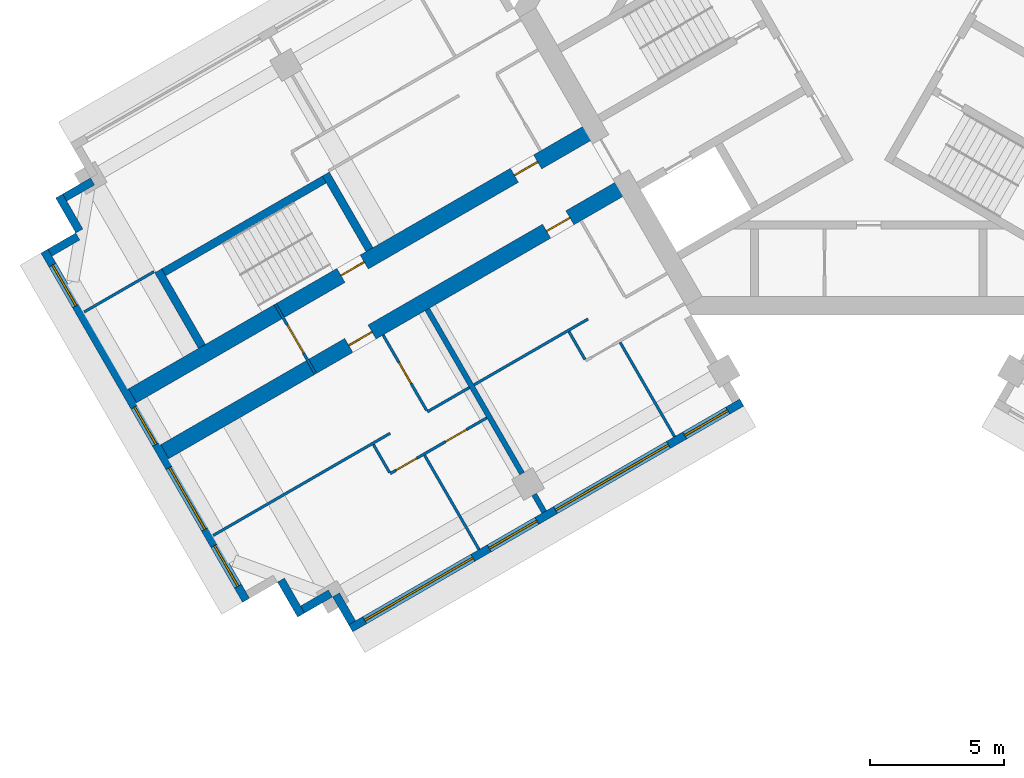
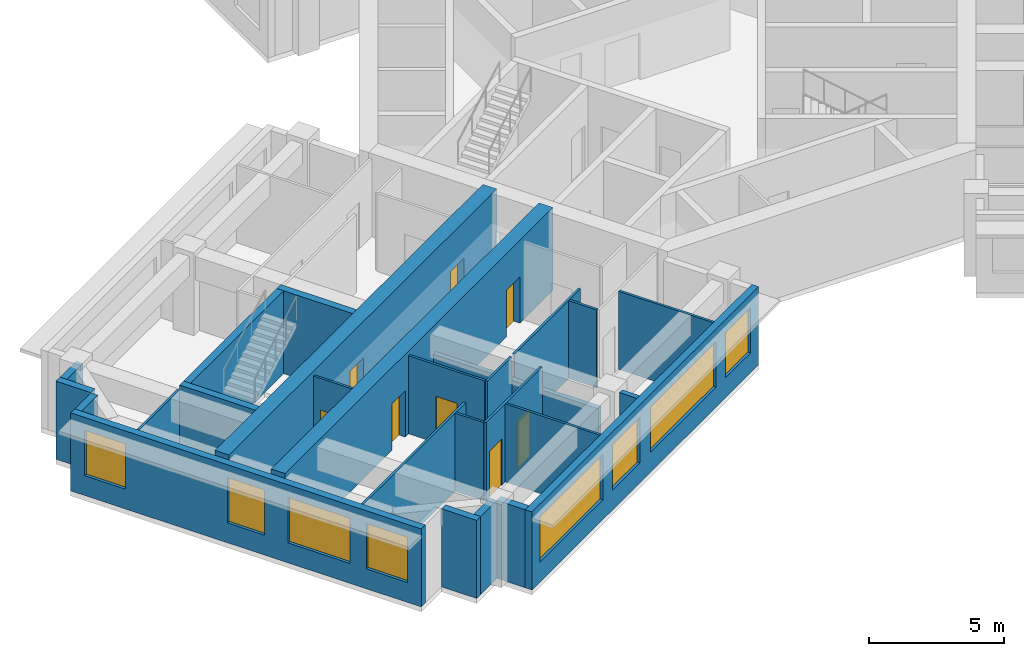
# One storey, part 2 of 11: 26 walls, 8 doors, 8 windows, 16 openings.
"""IFC4 building model written with IfcOpenShell, lengths in metres."""

from ifc_helpers import new_model, si_unit, direction, frame, frame_2d, origin, place, context, subcontext, project, spatial, rectangle, extrude, material, layer, layer_set, type_object, element, fill, save


model = new_model("IFC4")

# Units and contexts
model_context = context("Model", 3, precision=1e-05, world=origin(), true_north=direction((0.0, 1.0)))
body_context = subcontext(model_context, "Body", "Model", "MODEL_VIEW")
ifc_project = project(units=[si_unit("LENGTHUNIT", "METRE"), si_unit("AREAUNIT", "SQUARE_METRE"), si_unit("VOLUMEUNIT", "CUBIC_METRE"), si_unit("PLANEANGLEUNIT", "RADIAN"), si_unit("MASSUNIT", "GRAM", prefix="KILO")], contexts=[model_context])

# Site, building, storey
site_placement = place(None, origin())
site = spatial("IfcSite", under=ifc_project, at=site_placement, CompositionType="ELEMENT")
building_placement = place(site_placement, origin())
building = spatial("IfcBuilding", under=site, at=building_placement, Name="Impinga Residences", CompositionType="ELEMENT")
storey_placement = place(building_placement, frame((0.0, 0.0, 248.5)))
storey = spatial("IfcBuildingStorey", under=building, at=storey_placement, Name="L62", CompositionType="ELEMENT", Elevation=248.5)

# Wall, openings, doors
ifc_material_1 = material(Name="Concrete C60/75", Category="concrete")
ifc_layer_1 = layer(ifc_material_1, 0.60009765625)
ifc_layer_set_1 = layer_set([ifc_layer_1], Name="Concrete C60/75")
wall_type_1 = type_object("IfcWallType", Name="BW3 corridor buttress wall, L46 to L73 600", PredefinedType="SHEAR", material=ifc_layer_set_1)
wall_1_placement = place(storey_placement, frame((-8.996826171875, -6.580078125, 0.0), z_axis=(0.0, 0.0, 1.0), x_axis=(-0.866030540451, -0.499991102927, 0.0)))
wall_1 = element("IfcWall", 1, at=wall_1_placement, inside=storey, type_object=wall_type_1, Name="Corridor wall BW3 WC L62", PredefinedType="SHEAR", context=body_context, shape_type="SweptSolid", body=[
    extrude(rectangle(XDim=19.849853515625, YDim=0.60009765625, at=frame_2d((9.9248046875, 0.0))), origin(), (0.0, 0.0, 1.0), 3.75),
])
opening_1_placement = place(wall_1_placement, frame((2.449951171875, 0.0, 0.0)))
opening_1 = element("IfcOpeningElement", 2, at=opening_1_placement, cuts=wall_1, Name="Opening D1", PredefinedType="OPENING", context=body_context, shape_type="SweptSolid", body=[
    extrude(rectangle(XDim=1.0, YDim=2.10009765625, at=frame_2d((0.5, 1.050048828125))), frame((0.0, 0.31005859375, 0.0), z_axis=(0.0, -1.0, 0.0), x_axis=(1.0, 0.0, 0.0)), (0.0, 0.0, 1.0), 0.6201171875),
])
opening_2_placement = place(wall_1_placement, frame((10.949951171875, 0.0, 0.0)))
opening_2 = element("IfcOpeningElement", 3, at=opening_2_placement, cuts=wall_1, Name="Opening D1", PredefinedType="OPENING", context=body_context, shape_type="SweptSolid", body=[
    extrude(rectangle(XDim=1.0, YDim=2.10009765625, at=frame_2d((0.5, 1.050048828125))), frame((0.0, 0.31005859375, 0.0), z_axis=(0.0, -1.0, 0.0), x_axis=(1.0, 0.0, 0.0)), (0.0, 0.0, 1.0), 0.6201171875),
])
ifc_material_2 = material(Name="Timber door set", Category="wood")
door_type_1 = type_object("IfcDoorType", Name="D1 apartment entrance door 1000x2100", OperationType="SINGLE_SWING_LEFT", PredefinedType="DOOR", material=ifc_material_2)
door_1_placement = place(opening_1_placement, origin())
door_1 = element("IfcDoor", 4, at=door_1_placement, inside=storey, type_object=door_type_1, Name="Apartment L62-WA1 entrance", OperationType="SINGLE_SWING_LEFT", OverallHeight=2.10009765625, OverallWidth=1.0, PredefinedType="DOOR", context=body_context, shape_type="SweptSolid", body=[
    extrude(rectangle(XDim=1.0, YDim=2.10009765625, at=frame_2d((0.5, 1.050048828125))), frame((0.0, 0.02490234375, 0.0), z_axis=(0.0, -1.0, 0.0), x_axis=(1.0, 0.0, 0.0)), (0.0, 0.0, 1.0), 0.050048828125),
])
fill(opening_1, door_1)
door_2_placement = place(opening_2_placement, origin())
door_2 = element("IfcDoor", 5, at=door_2_placement, inside=storey, type_object=door_type_1, Name="Apartment L62-WA2 entrance", OperationType="SINGLE_SWING_RIGHT", OverallHeight=2.10009765625, OverallWidth=1.0, PredefinedType="DOOR", context=body_context, shape_type="SweptSolid", body=[
    extrude(rectangle(XDim=1.0, YDim=2.10009765625, at=frame_2d((0.5, 1.050048828125))), frame((0.0, 0.02490234375, 0.0), z_axis=(0.0, -1.0, 0.0), x_axis=(1.0, 0.0, 0.0)), (0.0, 0.0, 1.0), 0.050048828125),
])
fill(opening_2, door_2)

wall_2_placement = place(storey_placement, frame((-10.19677734375, -4.50146484375, 0.0), z_axis=(0.0, 0.0, 1.0), x_axis=(-0.866025214745, -0.500000327426, 0.0)))
wall_2 = element("IfcWall", 6, at=wall_2_placement, inside=storey, type_object=wall_type_1, Name="Corridor wall BW3 WD L62", PredefinedType="SHEAR", context=body_context, shape_type="SweptSolid", body=[
    extrude(rectangle(XDim=19.85009765625, YDim=0.60009765625, at=frame_2d((9.925048828125, 0.0))), origin(), (0.0, 0.0, 1.0), 3.75),
])
opening_3_placement = place(wall_2_placement, frame((9.89990234375, 0.0, 0.0)))
opening_3 = element("IfcOpeningElement", 7, at=opening_3_placement, cuts=wall_2, Name="Opening D5", PredefinedType="OPENING", context=body_context, shape_type="SweptSolid", body=[
    extrude(rectangle(XDim=1.0, YDim=2.10009765625, at=frame_2d((0.5, 1.050048828125))), frame((0.0, 0.31005859375, 0.0), z_axis=(0.0, -1.0, 0.0), x_axis=(1.0, 0.0, 0.0)), (0.0, 0.0, 1.0), 0.6201171875),
])
opening_4_placement = place(wall_2_placement, frame((2.449951171875, 0.0, 0.0)))
opening_4 = element("IfcOpeningElement", 8, at=opening_4_placement, cuts=wall_2, Name="Opening D1", PredefinedType="OPENING", context=body_context, shape_type="SweptSolid", body=[
    extrude(rectangle(XDim=1.0, YDim=2.10009765625, at=frame_2d((0.5, 1.050048828125))), frame((0.0, 0.31005859375, 0.0), z_axis=(0.0, -1.0, 0.0), x_axis=(1.0, 0.0, 0.0)), (0.0, 0.0, 1.0), 0.6201171875),
])
door_3_placement = place(opening_4_placement, origin())
door_3 = element("IfcDoor", 9, at=door_3_placement, inside=storey, type_object=door_type_1, Name="Apartment L62-WF1 entrance", OperationType="SINGLE_SWING_LEFT", OverallHeight=2.10009765625, OverallWidth=1.0, PredefinedType="DOOR", context=body_context, shape_type="SweptSolid", body=[
    extrude(rectangle(XDim=1.0, YDim=2.10009765625, at=frame_2d((0.5, 1.050048828125))), frame((0.0, 0.02490234375, 0.0), z_axis=(0.0, -1.0, 0.0), x_axis=(1.0, 0.0, 0.0)), (0.0, 0.0, 1.0), 0.050048828125),
])
fill(opening_4, door_3)
door_type_2 = type_object("IfcDoorType", Name="D5 stair door 1000x2100", OperationType="SINGLE_SWING_LEFT", PredefinedType="DOOR", material=ifc_material_2)
door_4_placement = place(opening_3_placement, origin())
door_4 = element("IfcDoor", 10, at=door_4_placement, inside=storey, type_object=door_type_2, Name="Wing stair door W", OperationType="SINGLE_SWING_RIGHT", OverallHeight=2.10009765625, OverallWidth=1.0, PredefinedType="DOOR", context=body_context, shape_type="SweptSolid", body=[
    extrude(rectangle(XDim=1.0, YDim=2.10009765625, at=frame_2d((0.5, 1.050048828125))), frame((0.0, 0.02490234375, 0.0), z_axis=(0.0, -1.0, 0.0), x_axis=(1.0, 0.0, 0.0)), (0.0, 0.0, 1.0), 0.050048828125),
])
fill(opening_3, door_4)

# Wall, opening, door
ifc_material_3 = material(Name="Concrete blockwork", Category="masonry")
ifc_layer_2 = layer(ifc_material_3, 0.10009765625)
ifc_layer_set_2 = layer_set([ifc_layer_2], Name="CP1 core room partition, blockwork 100")
wall_type_2 = type_object("IfcWallType", Name="CP1 core room partition, blockwork 100", PredefinedType="PARTITIONING", material=ifc_layer_set_2)
wall_3_placement = place(storey_placement, frame((-20.58154296875, -13.61474609375, 0.0), z_axis=(0.0, 0.0, 1.0), x_axis=(-0.50002537861, 0.866010750942, 0.0)))
wall_3 = element("IfcWall", 11, at=wall_3_placement, inside=storey, type_object=wall_type_2, Name="Core room partition, blockwork L62:W:LNG", PredefinedType="PARTITIONING", context=body_context, shape_type="SweptSolid", body=[
    extrude(rectangle(XDim=2.999755859375, YDim=0.10009765625, at=frame_2d((1.5, 0.0))), origin(), (0.0, 0.0, 1.0), 3.530029296875),
])
opening_5_placement = place(wall_3_placement, frame((0.89990234375, 0.0, 0.0)))
opening_5 = element("IfcOpeningElement", 12, at=opening_5_placement, cuts=wall_3, Name="Opening D3", PredefinedType="OPENING", context=body_context, shape_type="SweptSolid", body=[
    extrude(rectangle(XDim=1.199951171875, YDim=2.10009765625, at=frame_2d((0.60009765625, 1.050048828125))), frame((0.0, 0.06005859375, 0.0), z_axis=(0.0, -1.0, 0.0), x_axis=(1.0, 0.0, 0.0)), (0.0, 0.0, 1.0), 0.1201171875),
])
door_type_3 = type_object("IfcDoorType", Name="D3 room door, leaf and a half 1200x2100", OperationType="DOUBLE_SWING_LEFT", PredefinedType="DOOR", material=ifc_material_2)
door_5_placement = place(opening_5_placement, origin())
door_5 = element("IfcDoor", 13, at=door_5_placement, inside=storey, type_object=door_type_3, Name="Residents' lounge door W", OperationType="DOUBLE_SWING_LEFT", OverallHeight=2.10009765625, OverallWidth=1.199951171875, PredefinedType="DOOR", context=body_context, shape_type="SweptSolid", body=[
    extrude(rectangle(XDim=1.199951171875, YDim=2.10009765625, at=frame_2d((0.60009765625, 1.050048828125))), frame((0.0, 0.02490234375, 0.0), z_axis=(0.0, -1.0, 0.0), x_axis=(1.0, 0.0, 0.0)), (0.0, 0.0, 1.0), 0.050048828125),
])
fill(opening_5, door_5)

# Walls
ifc_material_4 = material(Name="Terracotta rainscreen on blockwork", Category="masonry")
ifc_layer_3 = layer(ifc_material_4, 0.300048828125)
ifc_layer_set_3 = layer_set([ifc_layer_3], Name="EW1 external wall, terracotta rainscreen on blockwork 300")
wall_type_3 = type_object("IfcWallType", Name="EW1 external wall, terracotta rainscreen on blockwork 300", PredefinedType="SOLIDWALL", material=ifc_layer_set_3)
wall_4_placement = place(storey_placement, frame((-19.21923828125, -22.874267578125, 0.0), z_axis=(0.0, 0.0, 1.0), x_axis=(-0.500033551112, 0.866006032174, 0.0)))
element("IfcWall", 14, at=wall_4_placement, inside=storey, type_object=wall_type_3, Name="External wall EW1 L62", PredefinedType="SOLIDWALL", context=body_context, shape_type="SweptSolid", body=[
    extrude(rectangle(XDim=1.2001953125, YDim=0.300048828125, at=frame_2d((0.60009765625, 0.0))), origin(), (0.0, 0.0, 1.0), 3.530029296875),
])
wall_5_placement = place(storey_placement, frame((-20.028564453125, -21.782470703125, 0.0), z_axis=(0.0, 0.0, 1.0), x_axis=(-0.865971243484, -0.500093796661, 0.0)))
element("IfcWall", 15, at=wall_5_placement, inside=storey, type_object=wall_type_3, Name="External wall EW1 L62", PredefinedType="SOLIDWALL", context=body_context, shape_type="SweptSolid", body=[
    extrude(rectangle(XDim=1.195068359375, YDim=0.300048828125, at=frame_2d((0.59765625, 0.0))), origin(), (0.0, 0.0, 1.0), 3.530029296875),
])
wall_6_placement = place(storey_placement, frame((-21.118408203125, -22.5849609375, 0.0), z_axis=(0.0, 0.0, 1.0), x_axis=(-0.499990139034, 0.866031096941, 0.0)))
element("IfcWall", 16, at=wall_6_placement, inside=storey, type_object=wall_type_3, Name="External wall EW1 L62", PredefinedType="SOLIDWALL", context=body_context, shape_type="SweptSolid", body=[
    extrude(rectangle(XDim=1.5, YDim=0.300048828125, at=frame_2d((0.75, 0.0))), origin(), (0.0, 0.0, 1.0), 3.530029296875),
])

# Wall, openings, windows
wall_7_placement = place(storey_placement, frame((-23.16748046875, -22.035888671875, 0.0), z_axis=(0.0, 0.0, 1.0), x_axis=(-0.500004234368, 0.866022959057, 0.0)))
wall_7 = element("IfcWall", 17, at=wall_7_placement, inside=storey, type_object=wall_type_3, Name="External wall EW1 L62", PredefinedType="SOLIDWALL", context=body_context, shape_type="SweptSolid", body=[
    extrude(rectangle(XDim=14.999755859375, YDim=0.300048828125, at=frame_2d((7.5, 0.0))), origin(), (0.0, 0.0, 1.0), 3.530029296875),
])
opening_6_placement = place(wall_7_placement, frame((0.60009765625, 0.0, 0.89990234375)))
opening_6 = element("IfcOpeningElement", 18, at=opening_6_placement, cuts=wall_7, Name="Opening W1", PredefinedType="OPENING", context=body_context, shape_type="SweptSolid", body=[
    extrude(rectangle(XDim=1.75, YDim=2.050048828125, at=frame_2d((0.875, 1.02490234375))), frame((0.0, 0.159912109375, 0.0), z_axis=(0.0, -1.0, 0.0), x_axis=(1.0, 0.0, 0.0)), (0.0, 0.0, 1.0), 0.320068359375),
])
opening_7_placement = place(wall_7_placement, frame((3.050048828125, 0.0, 0.89990234375)))
opening_7 = element("IfcOpeningElement", 19, at=opening_7_placement, cuts=wall_7, Name="Opening W18", PredefinedType="OPENING", context=body_context, shape_type="SweptSolid", body=[
    extrude(rectangle(XDim=2.64990234375, YDim=2.050048828125, at=frame_2d((1.324951171875, 1.02490234375))), frame((0.0, 0.159912109375, 0.0), z_axis=(0.0, -1.0, 0.0), x_axis=(1.0, 0.0, 0.0)), (0.0, 0.0, 1.0), 0.320068359375),
])
opening_8_placement = place(wall_7_placement, frame((6.699951171875, 0.0, 0.89990234375)))
opening_8 = element("IfcOpeningElement", 20, at=opening_8_placement, cuts=wall_7, Name="Opening W19", PredefinedType="OPENING", context=body_context, shape_type="SweptSolid", body=[
    extrude(rectangle(XDim=1.60009765625, YDim=2.050048828125, at=frame_2d((0.800048828125, 1.02490234375))), frame((0.0, 0.159912109375, 0.0), z_axis=(0.0, -1.0, 0.0), x_axis=(1.0, 0.0, 0.0)), (0.0, 0.0, 1.0), 0.320068359375),
])
opening_9_placement = place(wall_7_placement, frame((12.64990234375, 0.0, 0.89990234375)))
opening_9 = element("IfcOpeningElement", 21, at=opening_9_placement, cuts=wall_7, Name="Opening W1", PredefinedType="OPENING", context=body_context, shape_type="SweptSolid", body=[
    extrude(rectangle(XDim=1.75, YDim=2.050048828125, at=frame_2d((0.875, 1.02490234375))), frame((0.0, 0.159912109375, 0.0), z_axis=(0.0, -1.0, 0.0), x_axis=(1.0, 0.0, 0.0)), (0.0, 0.0, 1.0), 0.320068359375),
])
ifc_material_5 = material(Name="Aluminium window, clear double glazing", Category="aluminium")
window_type_1 = type_object("IfcWindowType", Name="W1 ribbon window 1750x2050", PartitioningType="SINGLE_PANEL", PredefinedType="WINDOW", material=ifc_material_5)
window_1_placement = place(opening_6_placement, origin())
window_1 = element("IfcWindow", 22, at=window_1_placement, inside=storey, type_object=window_type_1, Name="Window L62", OverallHeight=2.050048828125, OverallWidth=1.75, PartitioningType="SINGLE_PANEL", PredefinedType="WINDOW", context=body_context, shape_type="SweptSolid", body=[
    extrude(rectangle(XDim=1.75, YDim=2.050048828125, at=frame_2d((0.875, 1.02490234375))), frame((0.0, 0.030029296875, 0.0), z_axis=(0.0, -1.0, 0.0), x_axis=(1.0, 0.0, 0.0)), (0.0, 0.0, 1.0), 0.06005859375),
])
fill(opening_6, window_1)
window_2_placement = place(opening_9_placement, origin())
window_2 = element("IfcWindow", 23, at=window_2_placement, inside=storey, type_object=window_type_1, Name="Window L62", OverallHeight=2.050048828125, OverallWidth=1.75, PartitioningType="SINGLE_PANEL", PredefinedType="WINDOW", context=body_context, shape_type="SweptSolid", body=[
    extrude(rectangle(XDim=1.75, YDim=2.050048828125, at=frame_2d((0.875, 1.02490234375))), frame((0.0, 0.030029296875, 0.0), z_axis=(0.0, -1.0, 0.0), x_axis=(1.0, 0.0, 0.0)), (0.0, 0.0, 1.0), 0.06005859375),
])
fill(opening_9, window_2)
window_type_2 = type_object("IfcWindowType", Name="W18 ribbon window 2650x2050", PartitioningType="SINGLE_PANEL", PredefinedType="WINDOW", material=ifc_material_5)
window_3_placement = place(opening_7_placement, origin())
window_3 = element("IfcWindow", 24, at=window_3_placement, inside=storey, type_object=window_type_2, Name="Window L62", OverallHeight=2.050048828125, OverallWidth=2.64990234375, PartitioningType="SINGLE_PANEL", PredefinedType="WINDOW", context=body_context, shape_type="SweptSolid", body=[
    extrude(rectangle(XDim=2.64990234375, YDim=2.050048828125, at=frame_2d((1.324951171875, 1.02490234375))), frame((0.0, 0.030029296875, 0.0), z_axis=(0.0, -1.0, 0.0), x_axis=(1.0, 0.0, 0.0)), (0.0, 0.0, 1.0), 0.06005859375),
])
fill(opening_7, window_3)
window_type_3 = type_object("IfcWindowType", Name="W19 ribbon window 1600x2050", PartitioningType="SINGLE_PANEL", PredefinedType="WINDOW", material=ifc_material_5)
window_4_placement = place(opening_8_placement, origin())
window_4 = element("IfcWindow", 25, at=window_4_placement, inside=storey, type_object=window_type_3, Name="Window L62", OverallHeight=2.050048828125, OverallWidth=1.60009765625, PartitioningType="SINGLE_PANEL", PredefinedType="WINDOW", context=body_context, shape_type="SweptSolid", body=[
    extrude(rectangle(XDim=1.60009765625, YDim=2.050048828125, at=frame_2d((0.800048828125, 1.02490234375))), frame((0.0, 0.030029296875, 0.0), z_axis=(0.0, -1.0, 0.0), x_axis=(1.0, 0.0, 0.0)), (0.0, 0.0, 1.0), 0.06005859375),
])
fill(opening_8, window_4)

# Walls
wall_8_placement = place(storey_placement, frame((-30.46240234375, -9.1005859375, 0.0), z_axis=(0.0, 0.0, 1.0), x_axis=(0.865971243484, 0.500093796661, 0.0)))
element("IfcWall", 26, at=wall_8_placement, inside=storey, type_object=wall_type_3, Name="External wall EW1 L62", PredefinedType="SOLIDWALL", context=body_context, shape_type="SweptSolid", body=[
    extrude(rectangle(XDim=1.195068359375, YDim=0.300048828125, at=frame_2d((0.59765625, 0.0))), origin(), (0.0, 0.0, 1.0), 3.530029296875),
])
wall_9_placement = place(storey_placement, frame((-29.368408203125, -8.295654296875, 0.0), z_axis=(0.0, 0.0, 1.0), x_axis=(-0.499990139034, 0.866031096941, 0.0)))
element("IfcWall", 27, at=wall_9_placement, inside=storey, type_object=wall_type_3, Name="External wall EW1 L62", PredefinedType="SOLIDWALL", context=body_context, shape_type="SweptSolid", body=[
    extrude(rectangle(XDim=1.5, YDim=0.300048828125, at=frame_2d((0.75, 0.0))), origin(), (0.0, 0.0, 1.0), 3.530029296875),
])
wall_10_placement = place(storey_placement, frame((-29.91357421875, -7.051513671875, 0.0), z_axis=(0.0, 0.0, 1.0), x_axis=(0.865971243484, 0.500093796661, 0.0)))
element("IfcWall", 28, at=wall_10_placement, inside=storey, type_object=wall_type_3, Name="External wall EW1 L62", PredefinedType="SOLIDWALL", context=body_context, shape_type="SweptSolid", body=[
    extrude(rectangle(XDim=1.195068359375, YDim=0.300048828125, at=frame_2d((0.59765625, 0.0))), origin(), (0.0, 0.0, 1.0), 3.530029296875),
])

# Wall, openings, windows
wall_11_placement = place(storey_placement, frame((-4.72509765625, -14.67919921875, 0.0), z_axis=(0.0, 0.0, 1.0), x_axis=(-0.86602562146, -0.499999622975, 0.0)))
wall_11 = element("IfcWall", 29, at=wall_11_placement, inside=storey, type_object=wall_type_3, Name="External wall EW1 L62", PredefinedType="SOLIDWALL", context=body_context, shape_type="SweptSolid", body=[
    extrude(rectangle(XDim=16.7998046875, YDim=0.300048828125, at=frame_2d((8.39990234375, 0.0))), origin(), (0.0, 0.0, 1.0), 3.530029296875),
])
opening_10_placement = place(wall_11_placement, frame((0.60009765625, 0.0, 0.89990234375)))
opening_10 = element("IfcOpeningElement", 30, at=opening_10_placement, cuts=wall_11, Name="Opening W15", PredefinedType="OPENING", context=body_context, shape_type="SweptSolid", body=[
    extrude(rectangle(XDim=1.85009765625, YDim=2.050048828125, at=frame_2d((0.925048828125, 1.02490234375))), frame((0.0, 0.159912109375, 0.0), z_axis=(0.0, -1.0, 0.0), x_axis=(1.0, 0.0, 0.0)), (0.0, 0.0, 1.0), 0.320068359375),
])
opening_11_placement = place(wall_11_placement, frame((3.14990234375, 0.0, 0.89990234375)))
opening_11 = element("IfcOpeningElement", 31, at=opening_11_placement, cuts=wall_11, Name="Opening W6", PredefinedType="OPENING", context=body_context, shape_type="SweptSolid", body=[
    extrude(rectangle(XDim=4.85009765625, YDim=2.050048828125, at=frame_2d((2.425048828125, 1.02490234375))), frame((0.0, 0.159912109375, 0.0), z_axis=(0.0, -1.0, 0.0), x_axis=(1.0, 0.0, 0.0)), (0.0, 0.0, 1.0), 0.320068359375),
])
opening_12_placement = place(wall_11_placement, frame((8.800048828125, 0.0, 0.89990234375)))
opening_12 = element("IfcOpeningElement", 32, at=opening_12_placement, cuts=wall_11, Name="Opening W14", PredefinedType="OPENING", context=body_context, shape_type="SweptSolid", body=[
    extrude(rectangle(XDim=2.050048828125, YDim=2.050048828125, at=frame_2d((1.02490234375, 1.02490234375))), frame((0.0, 0.159912109375, 0.0), z_axis=(0.0, -1.0, 0.0), x_axis=(1.0, 0.0, 0.0)), (0.0, 0.0, 1.0), 0.320068359375),
])
opening_13_placement = place(wall_11_placement, frame((11.550048828125, 0.0, 0.89990234375)))
opening_13 = element("IfcOpeningElement", 33, at=opening_13_placement, cuts=wall_11, Name="Opening W10", PredefinedType="OPENING", context=body_context, shape_type="SweptSolid", body=[
    extrude(rectangle(XDim=4.64990234375, YDim=2.050048828125, at=frame_2d((2.324951171875, 1.02490234375))), frame((0.0, 0.159912109375, 0.0), z_axis=(0.0, -1.0, 0.0), x_axis=(1.0, 0.0, 0.0)), (0.0, 0.0, 1.0), 0.320068359375),
])
window_type_4 = type_object("IfcWindowType", Name="W10 ribbon window 4650x2050", PartitioningType="SINGLE_PANEL", PredefinedType="WINDOW", material=ifc_material_5)
window_5_placement = place(opening_13_placement, origin())
window_5 = element("IfcWindow", 34, at=window_5_placement, inside=storey, type_object=window_type_4, Name="Window L62", OverallHeight=2.050048828125, OverallWidth=4.64990234375, PartitioningType="SINGLE_PANEL", PredefinedType="WINDOW", context=body_context, shape_type="SweptSolid", body=[
    extrude(rectangle(XDim=4.64990234375, YDim=2.050048828125, at=frame_2d((2.324951171875, 1.02490234375))), frame((0.0, 0.030029296875, 0.0), z_axis=(0.0, -1.0, 0.0), x_axis=(1.0, 0.0, 0.0)), (0.0, 0.0, 1.0), 0.06005859375),
])
fill(opening_13, window_5)
window_type_5 = type_object("IfcWindowType", Name="W14 ribbon window 2050x2050", PartitioningType="SINGLE_PANEL", PredefinedType="WINDOW", material=ifc_material_5)
window_6_placement = place(opening_12_placement, origin())
window_6 = element("IfcWindow", 35, at=window_6_placement, inside=storey, type_object=window_type_5, Name="Window L62", OverallHeight=2.050048828125, OverallWidth=2.050048828125, PartitioningType="SINGLE_PANEL", PredefinedType="WINDOW", context=body_context, shape_type="SweptSolid", body=[
    extrude(rectangle(XDim=2.050048828125, YDim=2.050048828125, at=frame_2d((1.02490234375, 1.02490234375))), frame((0.0, 0.030029296875, 0.0), z_axis=(0.0, -1.0, 0.0), x_axis=(1.0, 0.0, 0.0)), (0.0, 0.0, 1.0), 0.06005859375),
])
fill(opening_12, window_6)
window_type_6 = type_object("IfcWindowType", Name="W15 ribbon window 1850x2050", PartitioningType="SINGLE_PANEL", PredefinedType="WINDOW", material=ifc_material_5)
window_7_placement = place(opening_10_placement, origin())
window_7 = element("IfcWindow", 36, at=window_7_placement, inside=storey, type_object=window_type_6, Name="Window L62", OverallHeight=2.050048828125, OverallWidth=1.85009765625, PartitioningType="SINGLE_PANEL", PredefinedType="WINDOW", context=body_context, shape_type="SweptSolid", body=[
    extrude(rectangle(XDim=1.85009765625, YDim=2.050048828125, at=frame_2d((0.925048828125, 1.02490234375))), frame((0.0, 0.030029296875, 0.0), z_axis=(0.0, -1.0, 0.0), x_axis=(1.0, 0.0, 0.0)), (0.0, 0.0, 1.0), 0.06005859375),
])
fill(opening_10, window_7)
window_type_7 = type_object("IfcWindowType", Name="W6 ribbon window 4850x2050", PartitioningType="SINGLE_PANEL", PredefinedType="WINDOW", material=ifc_material_5)
window_8_placement = place(opening_11_placement, origin())
window_8 = element("IfcWindow", 37, at=window_8_placement, inside=storey, type_object=window_type_7, Name="Window L62", OverallHeight=2.050048828125, OverallWidth=4.85009765625, PartitioningType="SINGLE_PANEL", PredefinedType="WINDOW", context=body_context, shape_type="SweptSolid", body=[
    extrude(rectangle(XDim=4.85009765625, YDim=2.050048828125, at=frame_2d((2.425048828125, 1.02490234375))), frame((0.0, 0.030029296875, 0.0), z_axis=(0.0, -1.0, 0.0), x_axis=(1.0, 0.0, 0.0)), (0.0, 0.0, 1.0), 0.06005859375),
])
fill(opening_11, window_8)

# Walls
ifc_material_6 = material(Name="Gypsum board on steel studs", Category="steel")
ifc_layer_4 = layer(ifc_material_6, 0.10009765625)
ifc_layer_set_4 = layer_set([ifc_layer_4], Name="Gypsum board on steel studs")
wall_type_4 = type_object("IfcWallType", Name="IP1 partition 100", PredefinedType="PARTITIONING", material=ifc_layer_set_4)
wall_12_placement = place(storey_placement, frame((-10.444580078125, -11.57275390625, 0.0), z_axis=(0.0, 0.0, 1.0), x_axis=(-0.866023786258, -0.500002801628, 0.0)))
element("IfcWall", 38, at=wall_12_placement, inside=storey, type_object=wall_type_4, Name="Partition L62-WA1:DIV1", PredefinedType="PARTITIONING", context=body_context, shape_type="SweptSolid", body=[
    extrude(rectangle(XDim=4.89990234375, YDim=0.10009765625, at=frame_2d((2.449951171875, 0.0))), origin(), (0.0, 0.0, 1.0), 3.530029296875),
])
wall_13_placement = place(storey_placement, frame((-11.155517578125, -12.041015625, 0.0), z_axis=(0.0, 0.0, 1.0), x_axis=(0.499880961361, -0.866094119867, 0.0)))
element("IfcWall", 39, at=wall_13_placement, inside=storey, type_object=wall_type_4, Name="Partition L62-WA1:SE1", PredefinedType="PARTITIONING", context=body_context, shape_type="SweptSolid", body=[
    extrude(rectangle(XDim=1.199951171875, YDim=0.10009765625, at=frame_2d((0.60009765625, 0.0))), origin(), (0.0, 0.0, 1.0), 3.530029296875),
])
wall_14_placement = place(storey_placement, frame((-9.249755859375, -12.44189453125, 0.0), z_axis=(0.0, 0.0, 1.0), x_axis=(0.499990325971, -0.866030989016, 0.0)))
element("IfcWall", 40, at=wall_14_placement, inside=storey, type_object=wall_type_4, Name="Partition L62-WA1:OB1", PredefinedType="PARTITIONING", context=body_context, shape_type="SweptSolid", body=[
    extrude(rectangle(XDim=4.0498046875, YDim=0.10009765625, at=frame_2d((2.02490234375, 0.0))), origin(), (0.0, 0.0, 1.0), 3.530029296875),
])
wall_15_placement = place(storey_placement, frame((-14.861328125, -14.122802734375, 0.0), z_axis=(0.0, 0.0, 1.0), x_axis=(-0.866047807691, -0.499961193289, 0.0)))
element("IfcWall", 41, at=wall_15_placement, inside=storey, type_object=wall_type_4, Name="Partition L62-WA2:DIV0", PredefinedType="PARTITIONING", context=body_context, shape_type="SweptSolid", body=[
    extrude(rectangle(XDim=1.800048828125, YDim=0.10009765625, at=frame_2d((0.89990234375, 0.0))), origin(), (0.0, 0.0, 1.0), 3.530029296875),
])
wall_16_placement = place(storey_placement, frame((-17.8056640625, -15.82275390625, 0.0), z_axis=(0.0, 0.0, 1.0), x_axis=(-0.866022425744, -0.500005158081, 0.0)))
element("IfcWall", 42, at=wall_16_placement, inside=storey, type_object=wall_type_4, Name="Partition L62-WA2:DIV1", PredefinedType="PARTITIONING", context=body_context, shape_type="SweptSolid", body=[
    extrude(rectangle(XDim=7.60009765625, YDim=0.10009765625, at=frame_2d((3.800048828125, 0.0))), origin(), (0.0, 0.0, 1.0), 3.530029296875),
])

# Wall, openings, doors
wall_17_placement = place(storey_placement, frame((-14.211181640625, -15.24853515625, 0.0), z_axis=(0.0, 0.0, 1.0), x_axis=(-0.86602981871, -0.499992353047, 0.0)))
wall_17 = element("IfcWall", 43, at=wall_17_placement, inside=storey, type_object=wall_type_4, Name="Partition L62-WA2:STRIP", PredefinedType="PARTITIONING", context=body_context, shape_type="SweptSolid", body=[
    extrude(rectangle(XDim=4.14990234375, YDim=0.10009765625, at=frame_2d((2.074951171875, 0.0))), origin(), (0.0, 0.0, 1.0), 3.530029296875),
])
opening_14_placement = place(wall_17_placement, frame((0.875, 0.0, 0.0)))
opening_14 = element("IfcOpeningElement", 44, at=opening_14_placement, cuts=wall_17, Name="Opening D2", PredefinedType="OPENING", context=body_context, shape_type="SweptSolid", body=[
    extrude(rectangle(XDim=0.89990234375, YDim=2.10009765625, at=frame_2d((0.449951171875, 1.050048828125))), frame((0.0, 0.06005859375, 0.0), z_axis=(0.0, -1.0, 0.0), x_axis=(1.0, 0.0, 0.0)), (0.0, 0.0, 1.0), 0.1201171875),
])
opening_15_placement = place(wall_17_placement, frame((3.0, 0.0, 0.0)))
opening_15 = element("IfcOpeningElement", 45, at=opening_15_placement, cuts=wall_17, Name="Opening D2", PredefinedType="OPENING", context=body_context, shape_type="SweptSolid", body=[
    extrude(rectangle(XDim=0.89990234375, YDim=2.10009765625, at=frame_2d((0.449951171875, 1.050048828125))), frame((0.0, 0.06005859375, 0.0), z_axis=(0.0, -1.0, 0.0), x_axis=(1.0, 0.0, 0.0)), (0.0, 0.0, 1.0), 0.1201171875),
])
door_type_4 = type_object("IfcDoorType", Name="D2 internal door 900x2100", OperationType="SINGLE_SWING_LEFT", PredefinedType="DOOR", material=ifc_material_2)
door_6_placement = place(opening_14_placement, origin())
door_6 = element("IfcDoor", 46, at=door_6_placement, inside=storey, type_object=door_type_4, Name="Apartment L62-WA2 room door", OperationType="SINGLE_SWING_LEFT", OverallHeight=2.10009765625, OverallWidth=0.89990234375, PredefinedType="DOOR", context=body_context, shape_type="SweptSolid", body=[
    extrude(rectangle(XDim=0.89990234375, YDim=2.10009765625, at=frame_2d((0.449951171875, 1.050048828125))), frame((0.0, 0.02490234375, 0.0), z_axis=(0.0, -1.0, 0.0), x_axis=(1.0, 0.0, 0.0)), (0.0, 0.0, 1.0), 0.050048828125),
])
fill(opening_14, door_6)
door_7_placement = place(opening_15_placement, origin())
door_7 = element("IfcDoor", 47, at=door_7_placement, inside=storey, type_object=door_type_4, Name="Apartment L62-WA2 room door", OperationType="SINGLE_SWING_RIGHT", OverallHeight=2.10009765625, OverallWidth=0.89990234375, PredefinedType="DOOR", context=body_context, shape_type="SweptSolid", body=[
    extrude(rectangle(XDim=0.89990234375, YDim=2.10009765625, at=frame_2d((0.449951171875, 1.050048828125))), frame((0.0, 0.02490234375, 0.0), z_axis=(0.0, -1.0, 0.0), x_axis=(1.0, 0.0, 0.0)), (0.0, 0.0, 1.0), 0.050048828125),
])
fill(opening_15, door_7)

# Wall
wall_18_placement = place(storey_placement, frame((-18.43017578125, -16.240966796875, 0.0), z_axis=(0.0, 0.0, 1.0), x_axis=(0.499880961361, -0.866094119867, 0.0)))
element("IfcWall", 48, at=wall_18_placement, inside=storey, type_object=wall_type_4, Name="Partition L62-WA2:SE1", PredefinedType="PARTITIONING", context=body_context, shape_type="SweptSolid", body=[
    extrude(rectangle(XDim=1.199951171875, YDim=0.10009765625, at=frame_2d((0.60009765625, 0.0))), origin(), (0.0, 0.0, 1.0), 3.530029296875),
])

# Wall, opening, door
wall_19_placement = place(storey_placement, frame((-18.070068359375, -12.164794921875, 0.0), z_axis=(0.0, 0.0, 1.0), x_axis=(0.499984717929, -0.866034226713, 0.0)))
wall_19 = element("IfcWall", 49, at=wall_19_placement, inside=storey, type_object=wall_type_4, Name="Partition L62-WA2:IB1", PredefinedType="PARTITIONING", context=body_context, shape_type="SweptSolid", body=[
    extrude(rectangle(XDim=3.25, YDim=0.10009765625, at=frame_2d((1.625, 0.0))), origin(), (0.0, 0.0, 1.0), 3.530029296875),
])
opening_16_placement = place(wall_19_placement, frame((1.175048828125, 0.0, 0.0)))
opening_16 = element("IfcOpeningElement", 50, at=opening_16_placement, cuts=wall_19, Name="Opening D2", PredefinedType="OPENING", context=body_context, shape_type="SweptSolid", body=[
    extrude(rectangle(XDim=0.89990234375, YDim=2.10009765625, at=frame_2d((0.449951171875, 1.050048828125))), frame((0.0, 0.06005859375, 0.0), z_axis=(0.0, -1.0, 0.0), x_axis=(1.0, 0.0, 0.0)), (0.0, 0.0, 1.0), 0.1201171875),
])
door_8_placement = place(opening_16_placement, origin())
door_8 = element("IfcDoor", 51, at=door_8_placement, inside=storey, type_object=door_type_4, Name="Apartment L62-WA2 bathroom door", OperationType="SINGLE_SWING_LEFT", OverallHeight=2.10009765625, OverallWidth=0.89990234375, PredefinedType="DOOR", context=body_context, shape_type="SweptSolid", body=[
    extrude(rectangle(XDim=0.89990234375, YDim=2.10009765625, at=frame_2d((0.449951171875, 1.050048828125))), frame((0.0, 0.02490234375, 0.0), z_axis=(0.0, -1.0, 0.0), x_axis=(1.0, 0.0, 0.0)), (0.0, 0.0, 1.0), 0.050048828125),
])
fill(opening_16, door_8)

# Walls
wall_20_placement = place(storey_placement, frame((-16.5244140625, -16.641845703125, 0.0), z_axis=(0.0, 0.0, 1.0), x_axis=(0.499990325971, -0.866030989016, 0.0)))
element("IfcWall", 52, at=wall_20_placement, inside=storey, type_object=wall_type_4, Name="Partition L62-WA2:OB1", PredefinedType="PARTITIONING", context=body_context, shape_type="SweptSolid", body=[
    extrude(rectangle(XDim=4.0498046875, YDim=0.10009765625, at=frame_2d((2.02490234375, 0.0))), origin(), (0.0, 0.0, 1.0), 3.530029296875),
])
wall_21_placement = place(storey_placement, frame((-26.58935546875, -9.808837890625, 0.0), z_axis=(0.0, 0.0, 1.0), x_axis=(-0.866031096941, -0.499990139034, 0.0)))
element("IfcWall", 53, at=wall_21_placement, inside=storey, type_object=wall_type_4, Name="Partition L62-WF1:DIV2", PredefinedType="PARTITIONING", context=body_context, shape_type="SweptSolid", body=[
    extrude(rectangle(XDim=3.0, YDim=0.10009765625, at=frame_2d((1.5, 0.0))), origin(), (0.0, 0.0, 1.0), 3.530029296875),
])
ifc_layer_5 = layer(ifc_material_3, 0.199951171875)
ifc_layer_set_5 = layer_set([ifc_layer_5], Name="PW1 party wall between apartments 200")
wall_type_5 = type_object("IfcWallType", Name="PW1 party wall between apartments 200", PredefinedType="SOLIDWALL", material=ifc_layer_set_5)
wall_22_placement = place(storey_placement, frame((-16.424560546875, -11.21484375, 0.0), z_axis=(0.0, 0.0, 1.0), x_axis=(0.499990246421, -0.866031034943, 0.0)))
element("IfcWall", 54, at=wall_22_placement, inside=storey, type_object=wall_type_5, Name="Party wall between apartments L62-WA1:PARTY", PredefinedType="SOLIDWALL", context=body_context, shape_type="SweptSolid", body=[
    extrude(rectangle(XDim=7.050048828125, YDim=0.199951171875, at=frame_2d((3.52490234375, 0.0))), origin(), (0.0, 0.0, 1.0), 2.47998046875),
])
wall_23_placement = place(storey_placement, frame((-12.44970703125, -18.099609375, 0.0), z_axis=(0.0, 0.0, 1.0), x_axis=(0.499919672301, -0.866071776036, 0.0)))
element("IfcWall", 55, at=wall_23_placement, inside=storey, type_object=wall_type_5, Name="Party wall between apartments L62-WA1:PARTYb", PredefinedType="SOLIDWALL", context=body_context, shape_type="SweptSolid", body=[
    extrude(rectangle(XDim=0.75, YDim=0.199951171875, at=frame_2d((0.375, 0.0))), origin(), (0.0, 0.0, 1.0), 3.530029296875),
])
ifc_layer_6 = layer(ifc_material_1, 0.300048828125)
ifc_layer_set_6 = layer_set([ifc_layer_6], Name="Concrete C60/75")
wall_type_6 = type_object("IfcWallType", Name="SE1 wing stair enclosure wall 300", PredefinedType="SOLIDWALL", material=ifc_layer_set_6)
for number, where, z_axis, x_axis, name in (
    (56, (-18.57421875, -8.99169921875, 0.0), (0.0, 0.0, 1.0), (-0.500017246033, 0.866015446554, 0.0), "Stair enclosure wall SE1 W END0 L62"),
    (57, (-24.8095703125, -12.591796875, 0.0), (0.0, 0.0, 1.0), (-0.499984717929, 0.866034226713, 0.0), "Stair enclosure wall SE1 W END1 L62"),
):
    element("IfcWall", number, at=place(storey_placement, frame(where, z_axis=z_axis, x_axis=x_axis)), inside=storey, type_object=wall_type_6, Name=name, PredefinedType="SOLIDWALL", context=body_context, shape_type="SweptSolid", body=[
        extrude(rectangle(XDim=3.25, YDim=0.300048828125, at=frame_2d((1.625, 0.0))), origin(), (0.0, 0.0, 1.0), 3.75),
    ])
wall_24_placement = place(storey_placement, frame((-20.254150390625, -6.382080078125, 0.0), z_axis=(0.0, 0.0, 1.0), x_axis=(-0.866020008033, -0.500009345598, 0.0)))
element("IfcWall", 58, at=wall_24_placement, inside=storey, type_object=wall_type_6, Name="Stair enclosure wall SE1 W OUT L62", PredefinedType="SOLIDWALL", context=body_context, shape_type="SweptSolid", body=[
    extrude(rectangle(XDim=6.899658203125, YDim=0.300048828125, at=frame_2d((3.44970703125, 0.0))), origin(), (0.0, 0.0, 1.0), 3.75),
])

save(model, "model.ifc")
